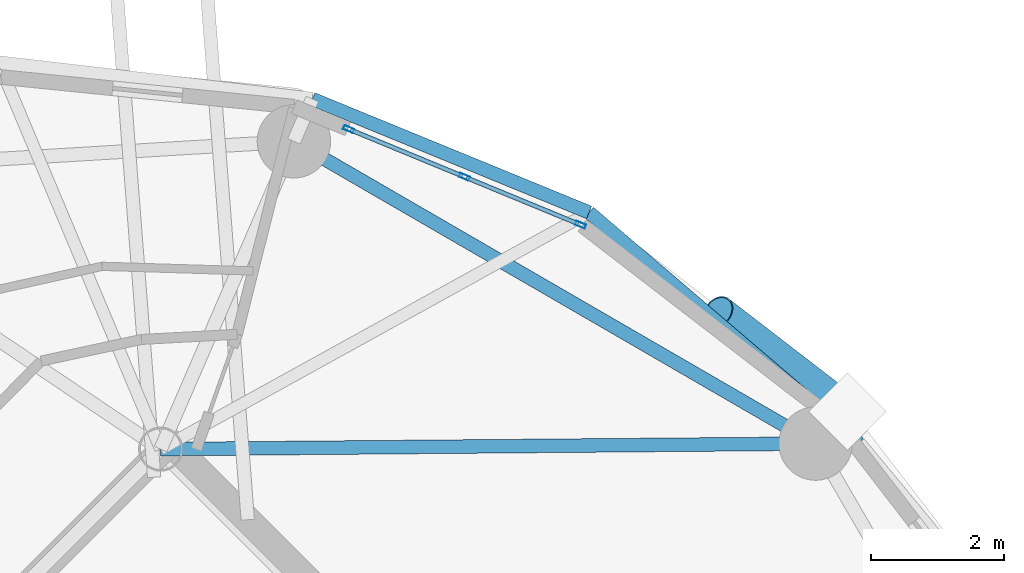
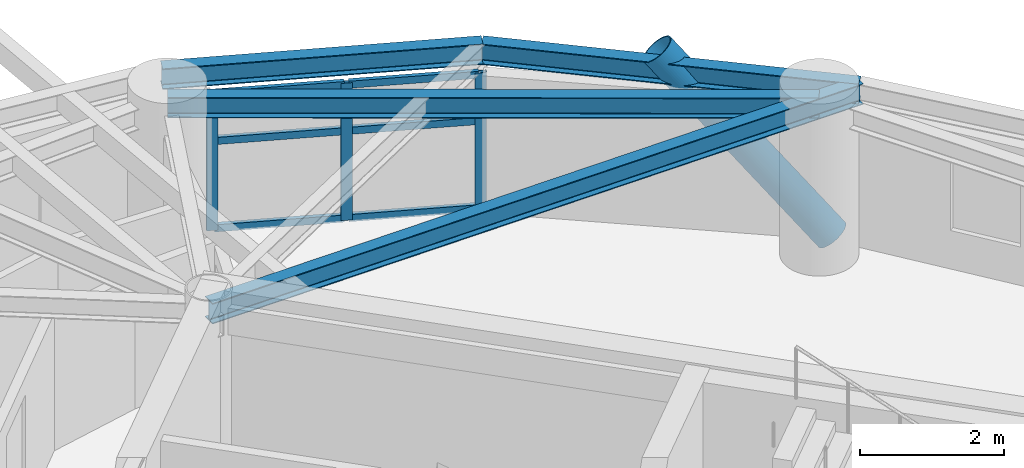
# One storey, part 5 of 16: 10 members, 4 beams, 1 element without a shape of its own.
"""IFC4 building model written with IfcOpenShell, lengths in metres."""

from ifc_helpers import new_model, si_unit, direction, frame, origin, origin_2d, place, context, subcontext, project, spatial, hollow_rectangle, hollow_circle, i_section, extrude, material, layer, layer_set, material_profile, profile_set, type_object, element, aggregate, save


model = new_model("IFC4")

# Units and contexts
model_context = context("Model", 3, precision=1e-05, world=origin(), true_north=direction((0.0, 1.0)))
body_context = subcontext(model_context, "Body", "Model", "MODEL_VIEW")
ifc_project = project(units=[si_unit("LENGTHUNIT", "METRE"), si_unit("AREAUNIT", "SQUARE_METRE"), si_unit("VOLUMEUNIT", "CUBIC_METRE"), si_unit("PLANEANGLEUNIT", "RADIAN"), si_unit("MASSUNIT", "GRAM", prefix="KILO")], contexts=[model_context])

# Site, building, storey
site_placement = place(None, origin())
site = spatial("IfcSite", under=ifc_project, at=site_placement, CompositionType="ELEMENT")
building_placement = place(site_placement, origin())
building = spatial("IfcBuilding", under=site, at=building_placement, Name="Cununo Teusaquillo Station Towers", CompositionType="ELEMENT")
storey_placement = place(building_placement, frame((0.0, 0.0, 214.1201171875)))
storey = spatial("IfcBuildingStorey", under=building, at=storey_placement, Name="L68", CompositionType="ELEMENT", Elevation=214.1201171875)

# Beams
ifc_material_1 = material(Name="Steel ASTM A572 Grade 50", Category="steel")
ifc_material_profile_1 = material_profile(ifc_material_1, i_section(OverallWidth=0.2041015625, OverallDepth=0.35009765625, WebThickness=0.008544921875, FlangeThickness=0.01513671875, FilletRadius=0.011962890625, at=origin_2d()), Name="W14X48")
ifc_profile_set_1 = profile_set([ifc_material_profile_1], Name="Steel ASTM A572 Grade 50")
beam_type_1 = type_object("IfcBeamType", Name="BM-RAD-G3", PredefinedType="BEAM", material=ifc_profile_set_1)
beam_1_placement = place(storey_placement, frame((56.29443359375, 33.024169921875, 2.52490234375), z_axis=(0.999964325253, 0.008446787673, 0.0), x_axis=(-0.008446787673, 0.999964325253, 0.0)))
element("IfcBeam", 1, at=beam_1_placement, inside=storey, type_object=beam_type_1, Name="L68 Tower B Continuous Overhanging Radial Girder 01", PredefinedType="BEAM", context=body_context, shape_type="SweptSolid", body=[
    extrude(i_section(OverallWidth=0.2041015625, OverallDepth=0.35009765625, WebThickness=0.008544921875, FlangeThickness=0.01513671875, FilletRadius=0.011962890625, at=origin_2d()), origin(), (0.0, 0.0, 1.0), 10.463134765625),
])
ifc_material_2 = material(Name="Steel ASTM A572 Grade 50", Category="steel")
ifc_material_profile_2 = material_profile(ifc_material_2, i_section(OverallWidth=0.2041015625, OverallDepth=0.35009765625, WebThickness=0.008544921875, FlangeThickness=0.01513671875, FilletRadius=0.011962890625, at=origin_2d()), Name="W14X48")
ifc_profile_set_2 = profile_set([ifc_material_profile_2], Name="Steel ASTM A572 Grade 50")
beam_type_2 = type_object("IfcBeamType", Name="BM-RING-Z4", PredefinedType="SPANDREL", material=ifc_profile_set_2)
beam_2_placement = place(storey_placement, frame((66.10693359375, 33.10693359375, 2.52490234375), z_axis=(-0.865267103202, 0.501311121078, 0.0), x_axis=(-0.501311121078, -0.865267103202, 0.0)))
element("IfcBeam", 2, at=beam_2_placement, inside=storey, type_object=beam_type_2, Name="L68 Tower B Structural Column Ring Girder 01", PredefinedType="SPANDREL", context=body_context, shape_type="SweptSolid", body=[
    extrude(i_section(OverallWidth=0.2041015625, OverallDepth=0.35009765625, WebThickness=0.008544921875, FlangeThickness=0.01513671875, FilletRadius=0.011962890625, at=origin_2d()), origin(), (0.0, 0.0, 1.0), 9.032958984375),
])
beam_3_placement = place(storey_placement, frame((66.757080078125, 33.112548828125, 2.52490234375), z_axis=(-0.760065778291, 0.649846145385, 0.0), x_axis=(-0.649846145385, -0.760065778291, 0.0)))
element("IfcBeam", 3, at=beam_3_placement, inside=storey, type_object=beam_type_2, Name="L68 Tower B Spandrel Ring Beam 01", PredefinedType="SPANDREL", context=body_context, shape_type="SweptSolid", body=[
    extrude(i_section(OverallWidth=0.2041015625, OverallDepth=0.35009765625, WebThickness=0.008544921875, FlangeThickness=0.01513671875, FilletRadius=0.011962890625, at=origin_2d()), origin(), (0.0, 0.0, 1.0), 5.320556640625),
])
beam_4_placement = place(storey_placement, frame((62.713134765625, 36.570068359375, 2.52490234375), z_axis=(-0.925283830437, 0.379275405388, 0.0), x_axis=(-0.379275405388, -0.925283830437, 0.0)))
element("IfcBeam", 4, at=beam_4_placement, inside=storey, type_object=beam_type_2, Name="L68 Tower B Spandrel Ring Beam 02", PredefinedType="SPANDREL", context=body_context, shape_type="SweptSolid", body=[
    extrude(i_section(OverallWidth=0.2041015625, OverallDepth=0.35009765625, WebThickness=0.008544921875, FlangeThickness=0.01513671875, FilletRadius=0.011962890625, at=origin_2d()), origin(), (0.0, 0.0, 1.0), 4.482177734375),
])

# Curtain wall, members
ifc_material_3 = material(Name="Ceramic-fritted dark low-E double glazing", Category="glass")
ifc_layer = layer(ifc_material_3, 0.179931640625)
ifc_layer_set = layer_set([ifc_layer], Name="Ceramic-fritted dark low-E double glazing")
curtain_wall_type = type_object("IfcCurtainWallType", Name="CW-SYS-07", PredefinedType="USERDEFINED", material=ifc_layer_set)
curtain_wall_placement = place(storey_placement, origin())
curtain_wall = element("IfcCurtainWall", 5, at=curtain_wall_placement, inside=storey, type_object=curtain_wall_type, Name="L68 Tower B Facade Curtain Wall C01", ObjectType="FRITTED GLAZING", PredefinedType="USERDEFINED")
ifc_material_4 = material(Name="Anodised dark bronze aluminium EN AW-6063-T6", Category="aluminium")
ifc_material_profile_3 = material_profile(ifc_material_4, hollow_rectangle(XDim=0.06494140625, YDim=0.159912109375, WallThickness=0.00390625, at=origin_2d()), Name="CW-MULL-65x160")
ifc_profile_set_3 = profile_set([ifc_material_profile_3], Name="Anodised dark bronze aluminium EN AW-6063-T6")
member_type_1 = type_object("IfcMemberType", Name="CWM-160", PredefinedType="MULLION", material=ifc_profile_set_3)
member_1_placement = place(storey_placement, frame((59.111328125, 37.818359375, 0.0), z_axis=(0.0, 0.0, 1.0), x_axis=(0.381310513086, 0.924447019904, 0.0)))
member_1 = element("IfcMember", 6, at=member_1_placement, type_object=member_type_1, Name="CW-07 mullion 1", PredefinedType="MULLION", context=body_context, shape_type="SweptSolid", body=[
    extrude(hollow_rectangle(XDim=0.06494140625, YDim=0.159912109375, WallThickness=0.00390625, at=origin_2d()), origin(), (0.0, 0.0, 1.0), 2.32177734375),
])
member_2_placement = place(storey_placement, frame((60.84716796875, 37.102294921875, 0.0), z_axis=(0.0, 0.0, 1.0), x_axis=(0.381310513086, 0.924447019904, 0.0)))
member_2 = element("IfcMember", 7, at=member_2_placement, type_object=member_type_1, Name="CW-07 mullion 2", PredefinedType="MULLION", context=body_context, shape_type="SweptSolid", body=[
    extrude(hollow_rectangle(XDim=0.06494140625, YDim=0.159912109375, WallThickness=0.00390625, at=origin_2d()), origin(), (0.0, 0.0, 1.0), 2.32177734375),
])
member_3_placement = place(storey_placement, frame((62.583251953125, 36.38623046875, 0.0), z_axis=(0.0, 0.0, 1.0), x_axis=(0.381310513086, 0.924447019904, 0.0)))
member_3 = element("IfcMember", 8, at=member_3_placement, type_object=member_type_1, Name="CW-07 mullion 3", PredefinedType="MULLION", context=body_context, shape_type="SweptSolid", body=[
    extrude(hollow_rectangle(XDim=0.06494140625, YDim=0.159912109375, WallThickness=0.00390625, at=origin_2d()), origin(), (0.0, 0.0, 1.0), 2.32177734375),
])
ifc_material_5 = material(Name="Anodised dark bronze aluminium EN AW-6063-T6", Category="aluminium")
ifc_material_profile_4 = material_profile(ifc_material_5, hollow_rectangle(XDim=0.06494140625, YDim=0.1201171875, WallThickness=0.00390625, at=origin_2d()), Name="CW-TRAN-65x120")
ifc_profile_set_4 = profile_set([ifc_material_profile_4], Name="Anodised dark bronze aluminium EN AW-6063-T6")
member_type_2 = type_object("IfcMemberType", Name="CWT-120", PredefinedType="USERDEFINED", material=ifc_profile_set_4)
member_4_placement = place(storey_placement, frame((59.141357421875, 37.805908203125, 0.032470703125), z_axis=(0.924457591038, -0.381284883483, 0.0), x_axis=(0.381284883483, 0.924457591038, 0.0)))
member_4 = element("IfcMember", 9, at=member_4_placement, type_object=member_type_2, Name="CW-07 transom 1.1", ObjectType="TRANSOM", PredefinedType="USERDEFINED", context=body_context, shape_type="SweptSolid", body=[
    extrude(hollow_rectangle(XDim=0.06494140625, YDim=0.1201171875, WallThickness=0.00390625, at=origin_2d()), origin(), (0.0, 0.0, 1.0), 1.812744140625),
])
member_5_placement = place(storey_placement, frame((59.141357421875, 37.805908203125, 1.5087890625), z_axis=(0.924457591038, -0.381284883483, 0.0), x_axis=(0.381284883483, 0.924457591038, 0.0)))
member_5 = element("IfcMember", 10, at=member_5_placement, type_object=member_type_2, Name="CW-07 transom 1.2", ObjectType="TRANSOM", PredefinedType="USERDEFINED", context=body_context, shape_type="SweptSolid", body=[
    extrude(hollow_rectangle(XDim=0.06494140625, YDim=0.1201171875, WallThickness=0.00390625, at=origin_2d()), origin(), (0.0, 0.0, 1.0), 1.812744140625),
])
member_6_placement = place(storey_placement, frame((59.141357421875, 37.805908203125, 2.289306640625), z_axis=(0.924457591038, -0.381284883483, 0.0), x_axis=(0.381284883483, 0.924457591038, 0.0)))
member_6 = element("IfcMember", 11, at=member_6_placement, type_object=member_type_2, Name="CW-07 transom 1.3", ObjectType="TRANSOM", PredefinedType="USERDEFINED", context=body_context, shape_type="SweptSolid", body=[
    extrude(hollow_rectangle(XDim=0.06494140625, YDim=0.1201171875, WallThickness=0.00390625, at=origin_2d()), origin(), (0.0, 0.0, 1.0), 1.812744140625),
])
member_7_placement = place(storey_placement, frame((60.877197265625, 37.08984375, 0.032470703125), z_axis=(0.92447716721, -0.381237415932, 0.0), x_axis=(0.381237415932, 0.92447716721, 0.0)))
member_7 = element("IfcMember", 12, at=member_7_placement, type_object=member_type_2, Name="CW-07 transom 2.1", ObjectType="TRANSOM", PredefinedType="USERDEFINED", context=body_context, shape_type="SweptSolid", body=[
    extrude(hollow_rectangle(XDim=0.06494140625, YDim=0.1201171875, WallThickness=0.00390625, at=origin_2d()), origin(), (0.0, 0.0, 1.0), 1.81298828125),
])
member_8_placement = place(storey_placement, frame((60.877197265625, 37.08984375, 1.5087890625), z_axis=(0.92447716721, -0.381237415932, 0.0), x_axis=(0.381237415932, 0.92447716721, 0.0)))
member_8 = element("IfcMember", 13, at=member_8_placement, type_object=member_type_2, Name="CW-07 transom 2.2", ObjectType="TRANSOM", PredefinedType="USERDEFINED", context=body_context, shape_type="SweptSolid", body=[
    extrude(hollow_rectangle(XDim=0.06494140625, YDim=0.1201171875, WallThickness=0.00390625, at=origin_2d()), origin(), (0.0, 0.0, 1.0), 1.81298828125),
])
member_9_placement = place(storey_placement, frame((60.877197265625, 37.08984375, 2.289306640625), z_axis=(0.92447716721, -0.381237415932, 0.0), x_axis=(0.381237415932, 0.92447716721, 0.0)))
member_9 = element("IfcMember", 14, at=member_9_placement, type_object=member_type_2, Name="CW-07 transom 2.3", ObjectType="TRANSOM", PredefinedType="USERDEFINED", context=body_context, shape_type="SweptSolid", body=[
    extrude(hollow_rectangle(XDim=0.06494140625, YDim=0.1201171875, WallThickness=0.00390625, at=origin_2d()), origin(), (0.0, 0.0, 1.0), 1.81298828125),
])
aggregate(curtain_wall, [member_1, member_2, member_3, member_4, member_5, member_6, member_7, member_8, member_9])

# Member
ifc_material_6 = material(Name="Steel EN 10025-2 S355J2", Category="steel")
ifc_material_profile_5 = material_profile(ifc_material_6, hollow_circle(Radius=0.25390625, WallThickness=0.01806640625, at=origin_2d()), Name="CHS 508x18")
ifc_profile_set_5 = profile_set([ifc_material_profile_5], Name="Steel EN 10025-2 S355J2")
member_type_3 = type_object("IfcMemberType", Name="MBR-DIAG-Z4", PredefinedType="BRACE", material=ifc_profile_set_5)
member_10_placement = place(storey_placement, frame((66.586181640625, 33.586181640625, -0.14013671875), z_axis=(-0.509547803244, 0.392567653256, 0.765670734602), x_axis=(-0.610304239587, -0.792167113141, 0.0)))
element("IfcMember", 15, at=member_10_placement, inside=storey, type_object=member_type_3, Name="L68 Tower B Folded-Zigzag Diagrid Tube C00", PredefinedType="BRACE", context=body_context, shape_type="SweptSolid", body=[
    extrude(hollow_circle(Radius=0.25390625, WallThickness=0.01806640625, at=origin_2d()), origin(), (0.0, 0.0, 1.0), 3.800537109375),
])

save(model, "model.ifc")
